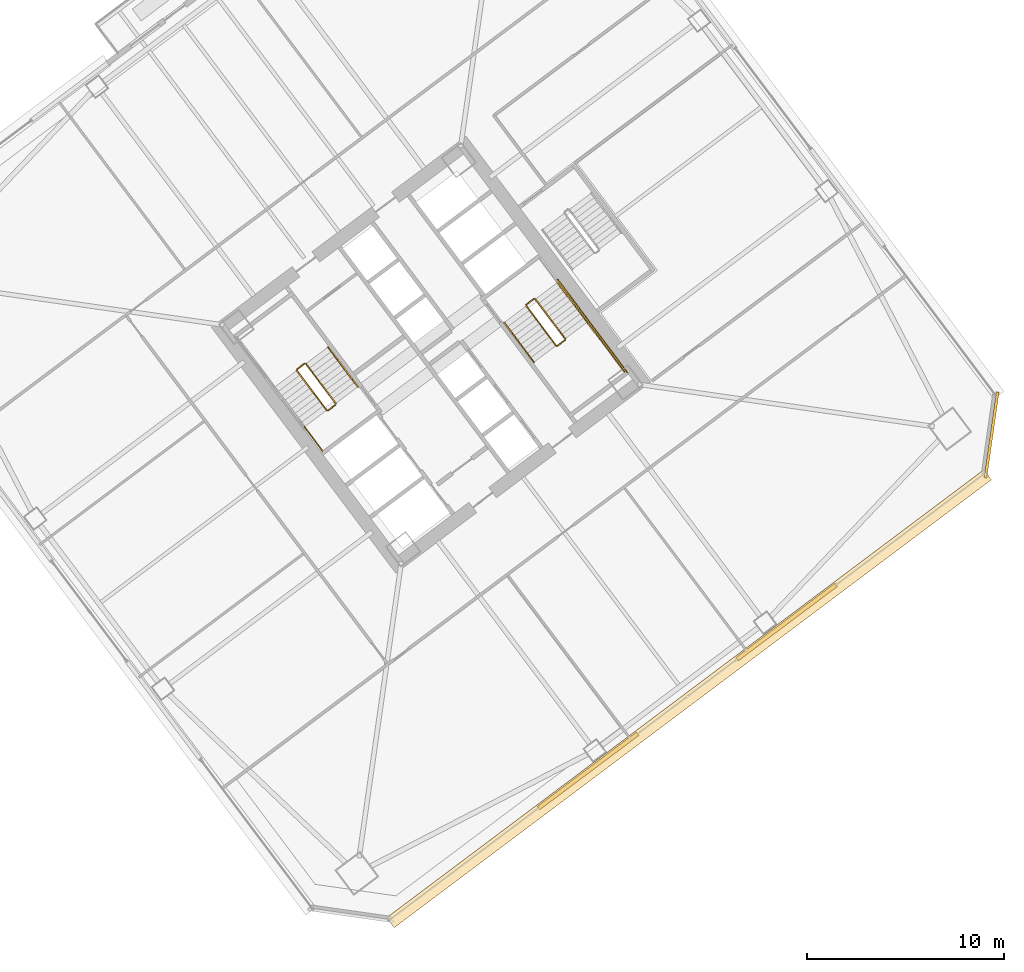
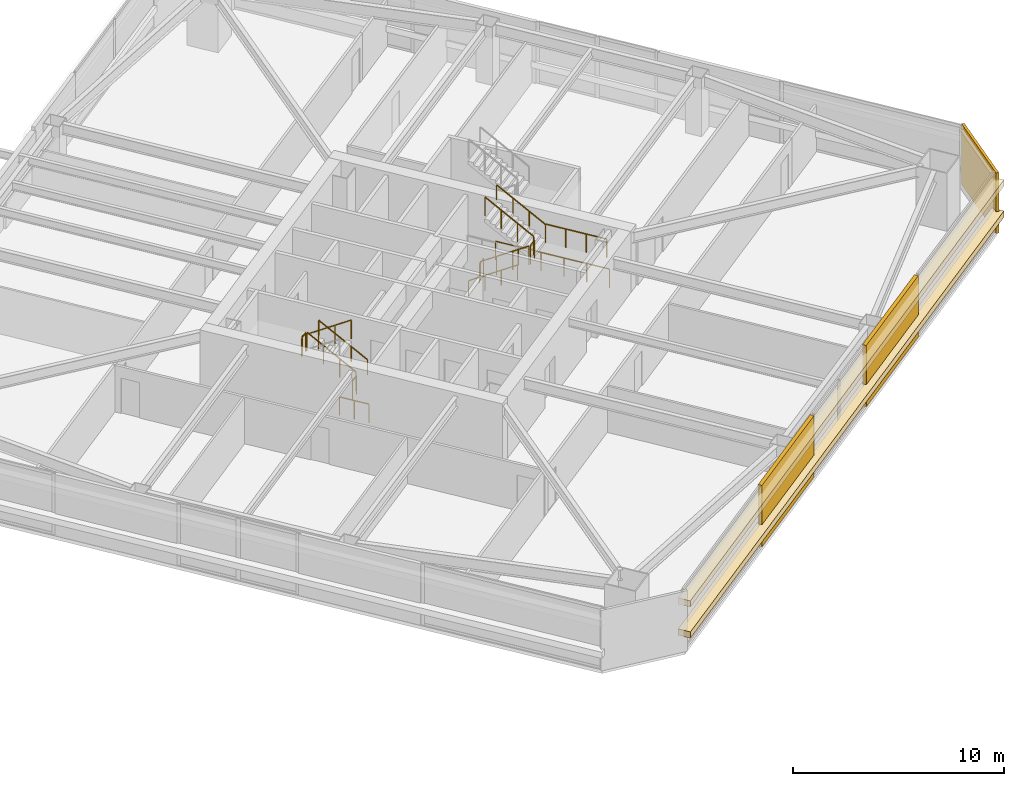
# One storey, part 43 of 45: 14 railings, 5 coverings.
"""IFC4 building model written with IfcOpenShell, lengths in metres."""

from ifc_helpers import new_model, si_unit, direction, frame, origin, origin_2d, place, context, subcontext, project, spatial, rectangle, extrude, material, layer, layer_set, type_object, element, save


model = new_model("IFC4")

# Units and contexts
model_context = context("Model", 3, precision=1e-05, world=origin(), true_north=direction((0.0, 1.0)))
body_context = subcontext(model_context, "Body", "Model", "MODEL_VIEW")
ifc_project = project(units=[si_unit("LENGTHUNIT", "METRE"), si_unit("AREAUNIT", "SQUARE_METRE"), si_unit("VOLUMEUNIT", "CUBIC_METRE"), si_unit("PLANEANGLEUNIT", "RADIAN"), si_unit("MASSUNIT", "GRAM", prefix="KILO")], contexts=[model_context])

# Site, building, storey
site_placement = place(None, origin())
site = spatial("IfcSite", under=ifc_project, at=site_placement, CompositionType="ELEMENT")
building_placement = place(site_placement, origin())
building = spatial("IfcBuilding", under=site, at=building_placement, Name="Tashvorn Skyway Center", CompositionType="ELEMENT")
storey_placement = place(building_placement, frame((0.0, 0.0, 35.25)))
storey = spatial("IfcBuildingStorey", under=building, at=storey_placement, Name="L08", CompositionType="ELEMENT", Elevation=35.25)

# Coverings
ifc_material_1 = material(Name="Precast concrete C40/50", Category="concrete")
ifc_layer_1 = layer(ifc_material_1, 0.199951171875)
ifc_layer_set_1 = layer_set([ifc_layer_1], Name="Precast concrete C40/50")
covering_type_1 = type_object("IfcCoveringType", Name="COV-BRACE-CLAD", PredefinedType="CLADDING", material=ifc_layer_set_1)
for number, where, z_axis, x_axis, name in (
    (1, (132.042724609375, 18.431884765625, 0.0), (0.0, 0.0, 1.0), (-0.799999996291, -0.600000004945, 0.0), "Tower 2 L08 South Unitised Curtain Wall Mega-Brace Cladding Band 1"),
    (2, (121.973388671875, 10.8798828125, 0.0), (0.0, 0.0, 1.0), (-0.799999996291, -0.600000004945, 0.0), "Tower 2 L08 South Unitised Curtain Wall Mega-Brace Cladding Band 2"),
):
    element("IfcCovering", number, at=place(storey_placement, frame(where, z_axis=z_axis, x_axis=x_axis)), inside=storey, type_object=covering_type_1, Name=name, PredefinedType="CLADDING", context=body_context, shape_type="SweptSolid", body=[
        extrude(rectangle(XDim=6.29345703125, YDim=0.199951171875, at=origin_2d()), origin(), (0.0, 0.0, 1.0), 3.550048828125),
    ])
ifc_material_2 = material(Name="Perforated ceramic-coated bronze aluminium solar screen", Category="aluminium")
ifc_layer_2 = layer(ifc_material_2, 0.85009765625)
ifc_layer_set_2 = layer_set([ifc_layer_2], Name="Perforated ceramic-coated bronze aluminium solar screen")
covering_type_2 = type_object("IfcCoveringType", Name="COV-SOLAR-BAND", PredefinedType="CLADDING", material=ifc_layer_set_2)
for number, where, z_axis, x_axis, name in (
    (3, (127.092041015625, 14.5439453125, 0.919921875), (0.0, 0.0, 1.0), (-0.799999996291, -0.600000004945, 0.0), "L08 Perforated Ceramic-Metal Solar Screen Louvre Band South 1"),
    (4, (127.092041015625, 14.5439453125, 2.7197265625), (0.0, 0.0, 1.0), (-0.799999996291, -0.600000004945, 0.0), "L08 Perforated Ceramic-Metal Solar Screen Louvre Band South 2"),
):
    element("IfcCovering", number, at=place(storey_placement, frame(where, z_axis=z_axis, x_axis=x_axis)), inside=storey, type_object=covering_type_2, Name=name, PredefinedType="CLADDING", context=body_context, shape_type="SweptSolid", body=[
        extrude(rectangle(XDim=37.8798828125, YDim=0.639892578125, at=origin_2d()), origin(), (0.0, 0.0, 1.0), 0.360107421875),
    ])
ifc_layer_3 = layer(ifc_material_1, 0.35009765625)
ifc_layer_set_3 = layer_set([ifc_layer_3], Name="Precast concrete C40/50")
covering_type_3 = type_object("IfcCoveringType", Name="COV-STONE-TRIM", PredefinedType="CLADDING", material=ifc_layer_set_3)
covering_placement = place(storey_placement, frame((142.447998046875, 27.93603515625, 0.02001953125), z_axis=(0.0, 0.0, 1.0), x_axis=(0.141421350118, 0.989949494535, 0.0)))
element("IfcCovering", 5, at=covering_placement, inside=storey, type_object=covering_type_3, Name="Tower 2 L08 SE Mojave Limestone Corner Quoin", PredefinedType="CLADDING", context=body_context, shape_type="SweptSolid", body=[
    extrude(rectangle(XDim=4.402587890625, YDim=0.139892578125, at=origin_2d()), origin(), (0.0, 0.0, 1.0), 3.510009765625),
])

# Railings
ifc_material_3 = material(Name="Brushed stainless steel 316", Category="steel")
railing_type_1 = type_object("IfcRailingType", Name="RAIL-HAND-920", PredefinedType="HANDRAIL", material=ifc_material_3)
railing_1_placement = place(storey_placement, frame((110.2880859375, 30.365966796875, 0.177490234375)))
element("IfcRailing", 6, at=railing_1_placement, inside=storey, type_object=railing_type_1, Name="L08 ST-T2-1 stair handrail 1", PredefinedType="HANDRAIL", context=body_context, shape_type="SweptSolid", body=[
    extrude(rectangle(XDim=0.048095703125, YDim=0.048095703125, at=origin_2d()), frame((0.0, 0.0, 0.8759765625), z_axis=(-0.506801609611, 0.675680931896, 0.535357270211), x_axis=(-0.799976749893, -0.600030998891, 0.0)), (0.0, 0.0, 1.0), 2.98388671875),
    extrude(rectangle(XDim=0.0419921875, YDim=0.0419921875, at=origin_2d()), origin(), (0.0, 0.0, 1.0), 0.851806640625),
    extrude(rectangle(XDim=0.0419921875, YDim=0.0419921875, at=origin_2d()), frame((-0.504150390625, 0.672119140625, 0.532470703125)), (0.0, 0.0, 1.0), 0.851806640625),
    extrude(rectangle(XDim=0.0419921875, YDim=0.0419921875, at=origin_2d()), frame((-1.008056640625, 1.343994140625, 1.06494140625)), (0.0, 0.0, 1.0), 0.851806640625),
    extrude(rectangle(XDim=0.0419921875, YDim=0.0419921875, at=origin_2d()), frame((-1.51220703125, 2.01611328125, 1.597412109375)), (0.0, 0.0, 1.0), 0.851806640625),
])
railing_2_placement = place(storey_placement, frame((117.7119140625, 33.634033203125, 0.177490234375)))
element("IfcRailing", 7, at=railing_2_placement, inside=storey, type_object=railing_type_1, Name="L08 ST-T2-2 stair handrail 1", PredefinedType="HANDRAIL", context=body_context, shape_type="SweptSolid", body=[
    extrude(rectangle(XDim=0.048095703125, YDim=0.048095703125, at=origin_2d()), frame((0.0, 0.0, 0.8759765625), z_axis=(0.506801609611, -0.675680931896, 0.535357270211), x_axis=(0.799976749893, 0.600030998891, 0.0)), (0.0, 0.0, 1.0), 2.98388671875),
    extrude(rectangle(XDim=0.0419921875, YDim=0.0419921875, at=origin_2d()), origin(), (0.0, 0.0, 1.0), 0.851806640625),
    extrude(rectangle(XDim=0.0419921875, YDim=0.0419921875, at=origin_2d()), frame((0.504150390625, -0.672119140625, 0.532470703125)), (0.0, 0.0, 1.0), 0.851806640625),
    extrude(rectangle(XDim=0.0419921875, YDim=0.0419921875, at=origin_2d()), frame((1.008056640625, -1.343994140625, 1.06494140625)), (0.0, 0.0, 1.0), 0.851806640625),
    extrude(rectangle(XDim=0.0419921875, YDim=0.0419921875, at=origin_2d()), frame((1.51220703125, -2.01611328125, 1.597412109375)), (0.0, 0.0, 1.0), 0.851806640625),
])
railing_3_placement = place(storey_placement, frame((121.927978515625, 33.64599609375, 1.952392578125)))
element("IfcRailing", 8, at=railing_3_placement, inside=storey, type_object=railing_type_1, Name="L08 ST-T2-2 stair handrail 2", PredefinedType="HANDRAIL", context=body_context, shape_type="SweptSolid", body=[
    extrude(rectangle(XDim=0.048095703125, YDim=0.048095703125, at=origin_2d()), frame((0.0, 0.0, 0.8759765625), z_axis=(-0.506718600913, 0.675679348675, 0.535437836974), x_axis=(-0.800023250257, -0.599968998406, 0.0)), (0.0, 0.0, 1.0), 2.98388671875),
    extrude(rectangle(XDim=0.0419921875, YDim=0.0419921875, at=origin_2d()), origin(), (0.0, 0.0, 1.0), 0.851806640625),
    extrude(rectangle(XDim=0.0419921875, YDim=0.0419921875, at=origin_2d()), frame((-0.50390625, 0.672119140625, 0.532470703125)), (0.0, 0.0, 1.0), 0.851806640625),
    extrude(rectangle(XDim=0.0419921875, YDim=0.0419921875, at=origin_2d()), frame((-1.008056640625, 1.343994140625, 1.065185546875)), (0.0, 0.0, 1.0), 0.851806640625),
    extrude(rectangle(XDim=0.0419921875, YDim=0.0419921875, at=origin_2d()), frame((-1.511962890625, 2.01611328125, 1.59765625)), (0.0, 0.0, 1.0), 0.851806640625),
])
ifc_material_4 = material(Name="Painted galvanized steel S355", Category="steel")
railing_type_2 = type_object("IfcRailingType", Name="RAIL-STGUARD-1100", PredefinedType="GUARDRAIL", material=ifc_material_4)
railing_4_placement = place(storey_placement, frame((109.16796875, 29.52587890625, 0.177490234375)))
element("IfcRailing", 9, at=railing_4_placement, inside=storey, type_object=railing_type_2, Name="L08 ST-T2-1 stair guard 1", PredefinedType="GUARDRAIL", context=body_context, shape_type="SweptSolid", body=[
    extrude(rectangle(XDim=0.048095703125, YDim=0.048095703125, at=origin_2d()), frame((0.0, 0.0, 1.076171875), z_axis=(-0.506740800098, 0.675708949977, 0.535379469569), x_axis=(-0.800023250257, -0.599968998406, 0.0)), (0.0, 0.0, 1.0), 2.983642578125),
    extrude(rectangle(XDim=0.0419921875, YDim=0.0419921875, at=origin_2d()), origin(), (0.0, 0.0, 1.0), 1.052001953125),
    extrude(rectangle(XDim=0.0419921875, YDim=0.0419921875, at=origin_2d()), frame((-0.50390625, 0.672119140625, 0.532470703125)), (0.0, 0.0, 1.0), 1.052001953125),
    extrude(rectangle(XDim=0.0419921875, YDim=0.0419921875, at=origin_2d()), frame((-1.008056640625, 1.343994140625, 1.06494140625)), (0.0, 0.0, 1.0), 1.052001953125),
    extrude(rectangle(XDim=0.0419921875, YDim=0.0419921875, at=origin_2d()), frame((-1.511962890625, 2.01611328125, 1.597412109375)), (0.0, 0.0, 1.0), 1.052001953125),
])
railing_5_placement = place(storey_placement, frame((107.5859375, 31.552001953125, 1.77490234375)))
element("IfcRailing", 10, at=railing_5_placement, inside=storey, type_object=railing_type_2, Name="L08 ST-T2-1 stair guard 2", PredefinedType="GUARDRAIL", context=body_context, shape_type="SweptSolid", body=[
    extrude(rectangle(XDim=0.048095703125, YDim=0.048095703125, at=origin_2d()), frame((0.0, 0.0, 1.076171875), z_axis=(-0.799938970639, -0.600081363861, 0.0), x_axis=(0.600081363861, -0.799938970639, 0.0)), (0.0, 0.0, 1.0), 0.47998046875),
    extrude(rectangle(XDim=0.0419921875, YDim=0.0419921875, at=origin_2d()), origin(), (0.0, 0.0, 1.0), 1.052001953125),
    extrude(rectangle(XDim=0.0419921875, YDim=0.0419921875, at=origin_2d()), frame((-0.384033203125, -0.2880859375, 0.0)), (0.0, 0.0, 1.0), 1.052001953125),
])
railing_6_placement = place(storey_placement, frame((107.19189453125, 31.194091796875, 1.952392578125)))
element("IfcRailing", 11, at=railing_6_placement, inside=storey, type_object=railing_type_2, Name="L08 ST-T2-1 stair guard 4", PredefinedType="GUARDRAIL", context=body_context, shape_type="SweptSolid", body=[
    extrude(rectangle(XDim=0.048095703125, YDim=0.048095703125, at=origin_2d()), frame((0.0, 0.0, 1.076171875), z_axis=(0.506779409603, -0.675651334276, 0.53541563714), x_axis=(0.799976749893, 0.600030998891, 0.0)), (0.0, 0.0, 1.0), 2.98388671875),
    extrude(rectangle(XDim=0.0419921875, YDim=0.0419921875, at=origin_2d()), origin(), (0.0, 0.0, 1.0), 1.052001953125),
    extrude(rectangle(XDim=0.0419921875, YDim=0.0419921875, at=origin_2d()), frame((0.504150390625, -0.672119140625, 0.532470703125)), (0.0, 0.0, 1.0), 1.052001953125),
    extrude(rectangle(XDim=0.0419921875, YDim=0.0419921875, at=origin_2d()), frame((1.008056640625, -1.343994140625, 1.065185546875)), (0.0, 0.0, 1.0), 1.052001953125),
    extrude(rectangle(XDim=0.0419921875, YDim=0.0419921875, at=origin_2d()), frame((1.51220703125, -2.01611328125, 1.59765625)), (0.0, 0.0, 1.0), 1.052001953125),
])
railing_7_placement = place(storey_placement, frame((109.157958984375, 29.4560546875, 0.0)))
element("IfcRailing", 12, at=railing_7_placement, inside=storey, type_object=railing_type_2, Name="L08 ST-T2-1 stair guard 5", PredefinedType="GUARDRAIL", context=body_context, shape_type="SweptSolid", body=[
    extrude(rectangle(XDim=0.048095703125, YDim=0.048095703125, at=origin_2d()), frame((0.0, 0.0, 1.076171875), z_axis=(-0.799938970639, -0.600081363861, 0.0), x_axis=(0.600081363861, -0.799938970639, 0.0)), (0.0, 0.0, 1.0), 0.47998046875),
    extrude(rectangle(XDim=0.0419921875, YDim=0.0419921875, at=origin_2d()), origin(), (0.0, 0.0, 1.0), 1.052001953125),
    extrude(rectangle(XDim=0.0419921875, YDim=0.0419921875, at=origin_2d()), frame((-0.384033203125, -0.2880859375, 0.0)), (0.0, 0.0, 1.0), 1.052001953125),
])
railing_8_placement = place(storey_placement, frame((108.49609375, 27.1220703125, 0.0)))
element("IfcRailing", 13, at=railing_8_placement, inside=storey, type_object=railing_type_2, Name="L08 ST-T2-1 stair guard 6", PredefinedType="GUARDRAIL", context=body_context, shape_type="SweptSolid", body=[
    extrude(rectangle(XDim=0.048095703125, YDim=0.048095703125, at=origin_2d()), frame((0.0, 0.0, 1.076171875), z_axis=(-0.600102796382, 0.799922892393, 0.0), x_axis=(-0.799922892393, -0.600102796382, 0.0)), (0.0, 0.0, 1.0), 1.52001953125),
    extrude(rectangle(XDim=0.0419921875, YDim=0.0419921875, at=origin_2d()), origin(), (0.0, 0.0, 1.0), 1.052001953125),
    extrude(rectangle(XDim=0.0419921875, YDim=0.0419921875, at=origin_2d()), frame((-0.4560546875, 0.60791015625, 0.0)), (0.0, 0.0, 1.0), 1.052001953125),
    extrude(rectangle(XDim=0.0419921875, YDim=0.0419921875, at=origin_2d()), frame((-0.912109375, 1.2158203125, 0.0)), (0.0, 0.0, 1.0), 1.052001953125),
])
railing_9_placement = place(storey_placement, frame((118.83203125, 34.47412109375, 0.177490234375)))
element("IfcRailing", 14, at=railing_9_placement, inside=storey, type_object=railing_type_2, Name="L08 ST-T2-2 stair guard 1", PredefinedType="GUARDRAIL", context=body_context, shape_type="SweptSolid", body=[
    extrude(rectangle(XDim=0.048095703125, YDim=0.048095703125, at=origin_2d()), frame((0.0, 0.0, 1.076171875), z_axis=(0.506740800098, -0.675708949977, 0.535379469569), x_axis=(0.800023250257, 0.599968998406, 0.0)), (0.0, 0.0, 1.0), 2.983642578125),
    extrude(rectangle(XDim=0.0419921875, YDim=0.0419921875, at=origin_2d()), origin(), (0.0, 0.0, 1.0), 1.052001953125),
    extrude(rectangle(XDim=0.0419921875, YDim=0.0419921875, at=origin_2d()), frame((0.50390625, -0.672119140625, 0.532470703125)), (0.0, 0.0, 1.0), 1.052001953125),
    extrude(rectangle(XDim=0.0419921875, YDim=0.0419921875, at=origin_2d()), frame((1.008056640625, -1.343994140625, 1.06494140625)), (0.0, 0.0, 1.0), 1.052001953125),
    extrude(rectangle(XDim=0.0419921875, YDim=0.0419921875, at=origin_2d()), frame((1.511962890625, -2.01611328125, 1.597412109375)), (0.0, 0.0, 1.0), 1.052001953125),
])
railing_10_placement = place(storey_placement, frame((120.4140625, 32.447998046875, 1.77490234375)))
element("IfcRailing", 15, at=railing_10_placement, inside=storey, type_object=railing_type_2, Name="L08 ST-T2-2 stair guard 2", PredefinedType="GUARDRAIL", context=body_context, shape_type="SweptSolid", body=[
    extrude(rectangle(XDim=0.048095703125, YDim=0.048095703125, at=origin_2d()), frame((0.0, 0.0, 1.076171875), z_axis=(0.799938970639, 0.600081363861, 0.0), x_axis=(-0.600081363861, 0.799938970639, 0.0)), (0.0, 0.0, 1.0), 0.47998046875),
    extrude(rectangle(XDim=0.0419921875, YDim=0.0419921875, at=origin_2d()), origin(), (0.0, 0.0, 1.0), 1.052001953125),
    extrude(rectangle(XDim=0.0419921875, YDim=0.0419921875, at=origin_2d()), frame((0.384033203125, 0.2880859375, 0.0)), (0.0, 0.0, 1.0), 1.052001953125),
])
railing_11_placement = place(storey_placement, frame((121.927978515625, 33.64599609375, 1.77490234375)))
element("IfcRailing", 16, at=railing_11_placement, inside=storey, type_object=railing_type_2, Name="L08 ST-T2-2 stair guard 3", PredefinedType="GUARDRAIL", context=body_context, shape_type="SweptSolid", body=[
    extrude(rectangle(XDim=0.048095703125, YDim=0.048095703125, at=origin_2d()), frame((0.0, 0.0, 1.076171875), z_axis=(0.599987638607, -0.800009270896, 0.0), x_axis=(0.800009270896, 0.599987638607, 0.0)), (0.0, 0.0, 1.0), 3.16015625),
    extrude(rectangle(XDim=0.0419921875, YDim=0.0419921875, at=origin_2d()), origin(), (0.0, 0.0, 1.0), 1.052001953125),
    extrude(rectangle(XDim=0.0419921875, YDim=0.0419921875, at=origin_2d()), frame((0.632080078125, -0.8427734375, 0.0)), (0.0, 0.0, 1.0), 1.052001953125),
    extrude(rectangle(XDim=0.0419921875, YDim=0.0419921875, at=origin_2d()), frame((1.263916015625, -1.685302734375, 0.0)), (0.0, 0.0, 1.0), 1.052001953125),
    extrude(rectangle(XDim=0.0419921875, YDim=0.0419921875, at=origin_2d()), frame((1.89599609375, -2.528076171875, 0.0)), (0.0, 0.0, 1.0), 1.052001953125),
])
railing_12_placement = place(storey_placement, frame((120.80810546875, 32.805908203125, 1.952392578125)))
element("IfcRailing", 17, at=railing_12_placement, inside=storey, type_object=railing_type_2, Name="L08 ST-T2-2 stair guard 4", PredefinedType="GUARDRAIL", context=body_context, shape_type="SweptSolid", body=[
    extrude(rectangle(XDim=0.048095703125, YDim=0.048095703125, at=origin_2d()), frame((0.0, 0.0, 1.076171875), z_axis=(-0.506779409603, 0.675651334276, 0.53541563714), x_axis=(-0.799976749893, -0.600030998891, 0.0)), (0.0, 0.0, 1.0), 2.98388671875),
    extrude(rectangle(XDim=0.0419921875, YDim=0.0419921875, at=origin_2d()), origin(), (0.0, 0.0, 1.0), 1.052001953125),
    extrude(rectangle(XDim=0.0419921875, YDim=0.0419921875, at=origin_2d()), frame((-0.504150390625, 0.672119140625, 0.532470703125)), (0.0, 0.0, 1.0), 1.052001953125),
    extrude(rectangle(XDim=0.0419921875, YDim=0.0419921875, at=origin_2d()), frame((-1.008056640625, 1.343994140625, 1.065185546875)), (0.0, 0.0, 1.0), 1.052001953125),
    extrude(rectangle(XDim=0.0419921875, YDim=0.0419921875, at=origin_2d()), frame((-1.51220703125, 2.01611328125, 1.59765625)), (0.0, 0.0, 1.0), 1.052001953125),
])
railing_13_placement = place(storey_placement, frame((118.842041015625, 34.5439453125, 0.0)))
element("IfcRailing", 18, at=railing_13_placement, inside=storey, type_object=railing_type_2, Name="L08 ST-T2-2 stair guard 5", PredefinedType="GUARDRAIL", context=body_context, shape_type="SweptSolid", body=[
    extrude(rectangle(XDim=0.048095703125, YDim=0.048095703125, at=origin_2d()), frame((0.0, 0.0, 1.076171875), z_axis=(0.799938970639, 0.600081363861, 0.0), x_axis=(-0.600081363861, 0.799938970639, 0.0)), (0.0, 0.0, 1.0), 0.47998046875),
    extrude(rectangle(XDim=0.0419921875, YDim=0.0419921875, at=origin_2d()), origin(), (0.0, 0.0, 1.0), 1.052001953125),
    extrude(rectangle(XDim=0.0419921875, YDim=0.0419921875, at=origin_2d()), frame((0.384033203125, 0.2880859375, 0.0)), (0.0, 0.0, 1.0), 1.052001953125),
])
railing_14_placement = place(storey_placement, frame((120.43603515625, 35.802001953125, 0.0)))
element("IfcRailing", 19, at=railing_14_placement, inside=storey, type_object=railing_type_2, Name="L08 ST-T2-2 stair guard 7", PredefinedType="GUARDRAIL", context=body_context, shape_type="SweptSolid", body=[
    extrude(rectangle(XDim=0.048095703125, YDim=0.048095703125, at=origin_2d()), frame((0.0, 0.0, 1.076171875), z_axis=(0.6, -0.8, 0.0), x_axis=(0.8, 0.6, 0.0)), (0.0, 0.0, 1.0), 5.880126953125),
    extrude(rectangle(XDim=0.0419921875, YDim=0.0419921875, at=origin_2d()), origin(), (0.0, 0.0, 1.0), 1.052001953125),
    extrude(rectangle(XDim=0.0419921875, YDim=0.0419921875, at=origin_2d()), frame((0.70556640625, -0.94091796875, 0.0)), (0.0, 0.0, 1.0), 1.052001953125),
    extrude(rectangle(XDim=0.0419921875, YDim=0.0419921875, at=origin_2d()), frame((1.4111328125, -1.881591796875, 0.0)), (0.0, 0.0, 1.0), 1.052001953125),
    extrude(rectangle(XDim=0.0419921875, YDim=0.0419921875, at=origin_2d()), frame((2.116943359375, -2.822509765625, 0.0)), (0.0, 0.0, 1.0), 1.052001953125),
    extrude(rectangle(XDim=0.0419921875, YDim=0.0419921875, at=origin_2d()), frame((2.822509765625, -3.76318359375, 0.0)), (0.0, 0.0, 1.0), 1.052001953125),
    extrude(rectangle(XDim=0.0419921875, YDim=0.0419921875, at=origin_2d()), frame((3.528076171875, -4.7041015625, 0.0)), (0.0, 0.0, 1.0), 1.052001953125),
])

save(model, "model.ifc")
